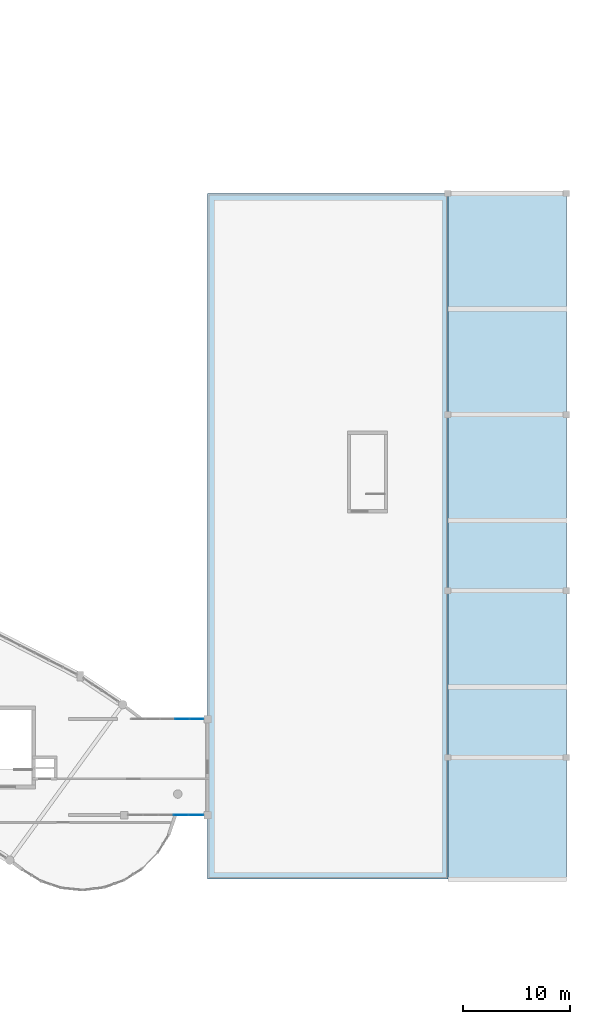
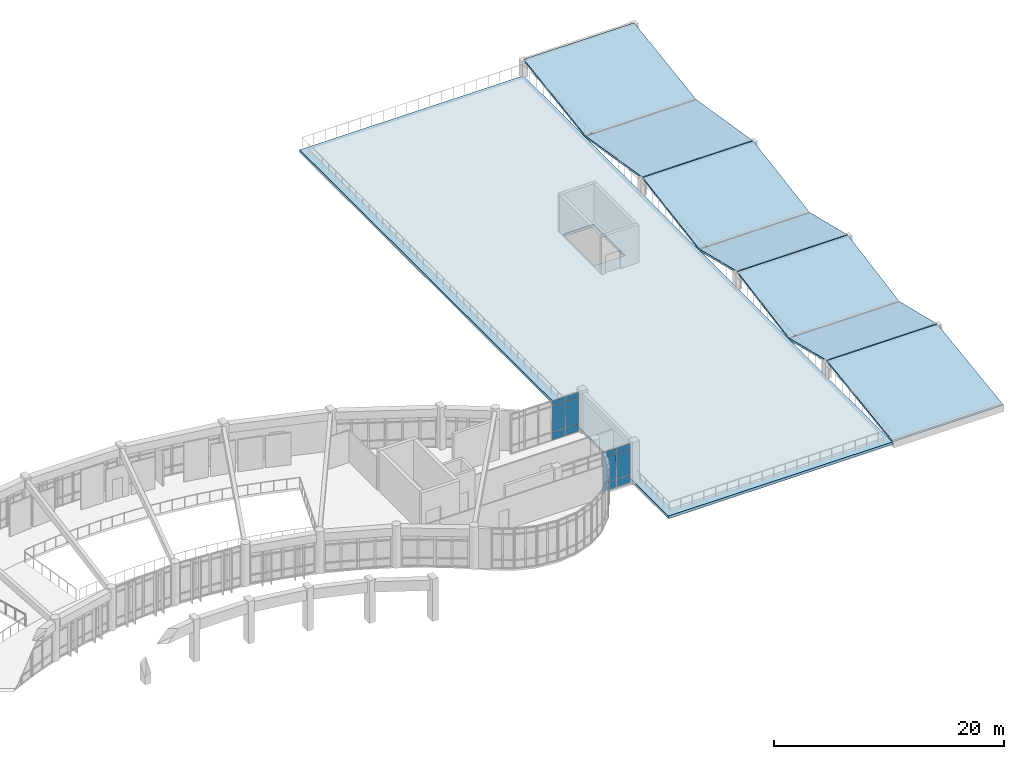
# One storey, part 40 of 54: 12 plates, 8 slabs, 3 elements without a shape of their own.
"""IFC4 building model written with IfcOpenShell, lengths in metres."""

import ifcopenshell
import ifcopenshell.guid

model = None  # the IFC model being written
_history = None  # IfcOwnerHistory: only IFC2X3 demands one
_inside = {}  # id of a spatial element -> (the spatial element, [elements in it])
_under = {}  # id of a project, library or spatial element -> (it, [spatial elements below it])
_declared = {}  # id of a project -> (the project, [libraries it declares])
_typed = {}  # id of a type object -> (the type object, [elements of that type])
_made_of = {}  # id of a material, layer set ... -> (it, [elements and type objects made of it])


def new_model(schema):
    """Start an empty IFC model of exactly this schema.

    Asked for "IFC4X3", IfcOpenShell would pick the latest addendum, in which some entities
    have other attributes; the version numbers below select the first issue.
    IFC2X3 requires an IfcOwnerHistory on every rooted entity: one is made here for all.
    """
    global model, _history
    if schema == "IFC4X3":
        model = ifcopenshell.file(schema_version=(4, 3, 0, 0))
    else:
        model = ifcopenshell.file(schema=schema)
    _inside.clear()
    _under.clear()
    _declared.clear()
    _typed.clear()
    _made_of.clear()
    _history = None
    if model.schema == "IFC2X3":
        org = make("IfcOrganization", Name="unknown")
        user = make(
            "IfcPersonAndOrganization",
            ThePerson=make("IfcPerson", FamilyName="unknown"),
            TheOrganization=org,
        )
        app = make(
            "IfcApplication",
            ApplicationDeveloper=org,
            Version="unknown",
            ApplicationFullName="unknown",
            ApplicationIdentifier="unknown",
        )
        _history = make(
            "IfcOwnerHistory",
            OwningUser=user,
            OwningApplication=app,
            ChangeAction="ADDED",
            CreationDate=0,
        )
    return model


def make(cls, **values):
    """One entity of the class cls with the attributes given. An attribute that is None is left unset."""
    return model.create_entity(
        cls, **{name: value for name, value in values.items() if value is not None}
    )


def rooted(cls, **values):
    """An entity with a GlobalId (a new one), such as an element, a storey or a relation."""
    return make(cls, GlobalId=ifcopenshell.guid.new(), OwnerHistory=_history, **values)


def si_unit(unit_type, name, prefix=None):
    """IfcSIUnit, for example si_unit("LENGTHUNIT", "METRE", prefix="MILLI")."""
    return make("IfcSIUnit", UnitType=unit_type, Prefix=prefix, Name=name)


def assignment(units):
    """IfcUnitAssignment: the units of a project."""
    return None if units is None else make("IfcUnitAssignment", Units=units)


def point(xyz):
    """IfcCartesianPoint."""
    return None if xyz is None else make("IfcCartesianPoint", Coordinates=xyz)


def direction(xyz):
    """IfcDirection."""
    return None if xyz is None else make("IfcDirection", DirectionRatios=xyz)


def frame(location, z_axis=None, x_axis=None):
    """IfcAxis2Placement3D, a coordinate frame: its origin and axes. An axis left out is left unset."""
    return make(
        "IfcAxis2Placement3D",
        Location=point(location),
        Axis=direction(z_axis),
        RefDirection=direction(x_axis),
    )


def frame_2d(location, x_axis=None):
    """IfcAxis2Placement2D, a coordinate frame in the plane: its origin and x axis."""
    return make(
        "IfcAxis2Placement2D", Location=point(location), RefDirection=direction(x_axis)
    )


def origin():
    """The frame at (0, 0, 0) with its axes left unset."""
    return frame((0.0, 0.0, 0.0))


def origin_2d():
    """The frame at (0, 0) in the plane with its x axis left unset."""
    return frame_2d((0.0, 0.0))


def place(relative_to, where):
    """IfcLocalPlacement: puts the frame where relative to a parent placement (None: the world)."""
    return make(
        "IfcLocalPlacement", PlacementRelTo=relative_to, RelativePlacement=where
    )


def context(
    kind, dimensions, precision=None, world=None, true_north=None, identifier=None
):
    """IfcGeometricRepresentationContext, for example the 3D "Model" context."""
    return make(
        "IfcGeometricRepresentationContext",
        ContextIdentifier=identifier,
        ContextType=kind,
        CoordinateSpaceDimension=dimensions,
        Precision=precision,
        WorldCoordinateSystem=world,
        TrueNorth=true_north,
    )


def subcontext(parent, identifier, kind, view, scale=None):
    """IfcGeometricRepresentationSubContext, for example "Body" below "Model"."""
    return make(
        "IfcGeometricRepresentationSubContext",
        ContextIdentifier=identifier,
        ContextType=kind,
        ParentContext=parent,
        TargetScale=scale,
        TargetView=view,
    )


def project(units=None, contexts=None):
    """IfcProject with its units and contexts."""
    return rooted(
        "IfcProject",
        Name="project",
        RepresentationContexts=contexts,
        UnitsInContext=assignment(units),
    )


def spatial(cls, under=None, at=None, **own):
    """A site, building, storey or space (cls), placed at a placement, below another one or the project."""
    s = rooted(cls, ObjectPlacement=at, **own)
    if under is not None:
        _under.setdefault(under.id(), (under, []))[1].append(s)
    return s


def polyline(points):
    """IfcPolyline through the points."""
    return make("IfcPolyline", Points=[point(p) for p in points])


def profile(cls, at=None, kind="AREA", **sizes):
    """A parametric profile (cls). Its sizes go by their IFC names, for example OverallWidth=200.0."""
    return make(cls, ProfileType=kind, Position=at, **sizes)


def rectangle(**sizes):
    """IfcRectangleProfileDef."""
    return profile("IfcRectangleProfileDef", **sizes)


def outline(outer, holes=None, kind="AREA"):
    """IfcArbitraryClosedProfileDef: a profile drawn as a closed curve; with holes, ...WithVoids."""
    if holes is None:
        return make("IfcArbitraryClosedProfileDef", ProfileType=kind, OuterCurve=outer)
    return make(
        "IfcArbitraryProfileDefWithVoids",
        ProfileType=kind,
        OuterCurve=outer,
        InnerCurves=holes,
    )


def extrude(swept, where, along, depth):
    """IfcExtrudedAreaSolid: the profile swept, set in the frame where, extruded along a direction by depth."""
    return make(
        "IfcExtrudedAreaSolid",
        SweptArea=swept,
        Position=where,
        ExtrudedDirection=direction(along),
        Depth=depth,
    )


def shape(context_of_items, identifier, shape_type, items):
    """IfcShapeRepresentation: the items that make up one representation, for example the "Body"."""
    return make(
        "IfcShapeRepresentation",
        ContextOfItems=context_of_items,
        RepresentationIdentifier=identifier,
        RepresentationType=shape_type,
        Items=items,
    )


def material(Name=None, Category=None):
    """IfcMaterial."""
    return make("IfcMaterial", Name=Name, Category=Category)


def layer(
    of_material, thickness, ventilated=None, Name=None, Category=None, Priority=None
):
    """IfcMaterialLayer: one layer of a wall or slab, of a material (None: an air gap)."""
    return make(
        "IfcMaterialLayer",
        Material=of_material,
        LayerThickness=thickness,
        IsVentilated=ventilated,
        Name=Name,
        Category=Category,
        Priority=Priority,
    )


def layer_set(layers, Name=None):
    """IfcMaterialLayerSet."""
    return make("IfcMaterialLayerSet", MaterialLayers=layers, LayerSetName=Name)


def made_of(thing, what):
    """Note that an element or type object is made of a material, layer set ...; save() writes the relation."""
    if what is not None:
        _made_of.setdefault(what.id(), (what, []))[1].append(thing)
    return thing


def type_object(cls, material=None, **own):
    """A type object (cls), such as IfcWallType, which elements share."""
    return made_of(rooted(cls, **own), material)


def element(
    cls,
    number,
    at=None,
    inside=None,
    cuts=None,
    type_object=None,
    material=None,
    context=None,
    identifier="Body",
    shape_type=None,
    held_by="IfcProductDefinitionShape",
    body=None,
    shapes=None,
    **own,
):
    """One element of the class cls, such as IfcWall. Its Tag is "e" and its number.

    at: its placement. inside: the storey or other place that contains it. cuts: it is an
    opening in that element (IfcRelVoidsElement). A single representation is given by context,
    identifier, shape_type and body (its items); several are given by shapes. held_by: the class
    of the entity that holds the representations. save() writes the other relations.
    """
    e = rooted(cls, Tag="e%d" % number, ObjectPlacement=at, **own)
    if body is not None:
        shapes = [shape(context, identifier, shape_type, body)]
    if shapes is not None:
        e.Representation = make(held_by, Representations=shapes)
    if inside is not None:
        _inside.setdefault(inside.id(), (inside, []))[1].append(e)
    if cuts is not None:
        rooted(
            "IfcRelVoidsElement", RelatingBuildingElement=cuts, RelatedOpeningElement=e
        )
    if type_object is not None:
        _typed.setdefault(type_object.id(), (type_object, []))[1].append(e)
    return made_of(e, material)


def aggregate(whole, parts):
    """IfcRelAggregates: a whole, such as a stair, and the parts it consists of."""
    return rooted("IfcRelAggregates", RelatingObject=whole, RelatedObjects=parts)


def save(model, path):
    """Write the relations noted so far, then the file.

    IfcRelAggregates (storeys below a building ...), IfcRelContainedInSpatialStructure (elements
    in a storey), IfcRelDefinesByType, IfcRelAssociatesMaterial and IfcRelDeclares: one each for
    every whole, place, type object, material and project.
    """
    for whole, parts in _under.values():
        aggregate(whole, parts)
    for where, things in _inside.values():
        rooted(
            "IfcRelContainedInSpatialStructure",
            RelatedElements=things,
            RelatingStructure=where,
        )
    for kind, things in _typed.values():
        rooted("IfcRelDefinesByType", RelatedObjects=things, RelatingType=kind)
    for what, things in _made_of.values():
        rooted("IfcRelAssociatesMaterial", RelatedObjects=things, RelatingMaterial=what)
    for by, libraries in _declared.values():
        rooted("IfcRelDeclares", RelatingContext=by, RelatedDefinitions=libraries)
    model.write(path)


model = new_model("IFC4")

# Units and contexts
model_context = context("Model", 3, precision=1e-05, world=origin(), true_north=direction((0.0, 1.0)))
body_context = subcontext(model_context, "Body", "Model", "MODEL_VIEW")
ifc_project = project(units=[si_unit("LENGTHUNIT", "METRE"), si_unit("AREAUNIT", "SQUARE_METRE"), si_unit("VOLUMEUNIT", "CUBIC_METRE"), si_unit("PLANEANGLEUNIT", "RADIAN"), si_unit("MASSUNIT", "GRAM", prefix="KILO")], contexts=[model_context])

# Site, building, storey
site_placement = place(None, origin())
site = spatial("IfcSite", under=ifc_project, at=site_placement, CompositionType="ELEMENT")
building_placement = place(site_placement, origin())
building = spatial("IfcBuilding", under=site, at=building_placement, Name="Miralva Faculty of Natural Sciences", CompositionType="ELEMENT")
storey_placement = place(building_placement, frame((0.0, 0.0, 19.5)))
storey = spatial("IfcBuildingStorey", under=building, at=storey_placement, Name="L04", CompositionType="ELEMENT", Elevation=19.5)

# Curtain wall, plates
ifc_material_1 = material(Name="Laminated solar-control glass", Category="glass")
ifc_layer_1 = layer(ifc_material_1, 0.179931640625, Name="CW-COM-L01")
ifc_layer_set_1 = layer_set([ifc_layer_1], Name="Laminated solar-control glass")
curtain_wall_type = type_object("IfcCurtainWallType", Name="CW-COM-L01", PredefinedType="USERDEFINED", material=ifc_layer_set_1)
curtain_wall_1_placement = place(storey_placement, origin())
curtain_wall_1 = element("IfcCurtainWall", 1, at=curtain_wall_1_placement, inside=storey, type_object=curtain_wall_type, Name="Curtain wall CW-10 L04-308", ObjectType="UNITISED CURTAIN WALL", PredefinedType="USERDEFINED")
ifc_layer_2 = layer(ifc_material_1, 0.028076171875, Name="PNL-P01")
ifc_layer_set_2 = layer_set([ifc_layer_2], Name="Laminated solar-control glass")
plate_type = type_object("IfcPlateType", Name="PNL-P01", PredefinedType="CURTAIN_PANEL", material=ifc_layer_set_2)
plate_1_placement = place(storey_placement, frame((131.325927734375, 18.0, 0.06005859375), z_axis=(0.0, 0.0, 1.0), x_axis=(1.0, 0.0, 0.0)))
plate_1 = element("IfcPlate", 2, at=plate_1_placement, type_object=plate_type, Name="CW-10 panel 4.1", PredefinedType="CURTAIN_PANEL", context=body_context, shape_type="SweptSolid", body=[
    extrude(rectangle(XDim=1.365966796875, YDim=0.028076171875, at=origin_2d()), origin(), (0.0, 0.0, 1.0), 0.81005859375),
])
plate_2_placement = place(storey_placement, frame((131.325927734375, 18.0, 0.929931640625), z_axis=(0.0, 0.0, 1.0), x_axis=(1.0, 0.0, 0.0)))
plate_2 = element("IfcPlate", 3, at=plate_2_placement, type_object=plate_type, Name="CW-10 panel 4.2", PredefinedType="CURTAIN_PANEL", context=body_context, shape_type="SweptSolid", body=[
    extrude(rectangle(XDim=1.365966796875, YDim=0.028076171875, at=origin_2d()), origin(), (0.0, 0.0, 1.0), 2.68994140625),
])
plate_3_placement = place(storey_placement, frame((131.325927734375, 18.0, 3.68017578125), z_axis=(0.0, 0.0, 1.0), x_axis=(1.0, 0.0, 0.0)))
plate_3 = element("IfcPlate", 4, at=plate_3_placement, type_object=plate_type, Name="CW-10 panel 4.3", PredefinedType="CURTAIN_PANEL", context=body_context, shape_type="SweptSolid", body=[
    extrude(rectangle(XDim=1.365966796875, YDim=0.028076171875, at=origin_2d()), origin(), (0.0, 0.0, 1.0), 0.510009765625),
])
plate_4_placement = place(storey_placement, frame((132.737060546875, 18.0, 0.06005859375), z_axis=(0.0, 0.0, 1.0), x_axis=(1.0, 0.0, 0.0)))
plate_4 = element("IfcPlate", 5, at=plate_4_placement, type_object=plate_type, Name="CW-10 panel 5.1", PredefinedType="CURTAIN_PANEL", context=body_context, shape_type="SweptSolid", body=[
    extrude(rectangle(XDim=1.3359375, YDim=0.028076171875, at=origin_2d()), origin(), (0.0, 0.0, 1.0), 0.81005859375),
])
plate_5_placement = place(storey_placement, frame((132.737060546875, 18.0, 0.929931640625), z_axis=(0.0, 0.0, 1.0), x_axis=(1.0, 0.0, 0.0)))
plate_5 = element("IfcPlate", 6, at=plate_5_placement, type_object=plate_type, Name="CW-10 panel 5.2", PredefinedType="CURTAIN_PANEL", context=body_context, shape_type="SweptSolid", body=[
    extrude(rectangle(XDim=1.3359375, YDim=0.028076171875, at=origin_2d()), origin(), (0.0, 0.0, 1.0), 2.68994140625),
])
plate_6_placement = place(storey_placement, frame((132.737060546875, 18.0, 3.68017578125), z_axis=(0.0, 0.0, 1.0), x_axis=(1.0, 0.0, 0.0)))
plate_6 = element("IfcPlate", 7, at=plate_6_placement, type_object=plate_type, Name="CW-10 panel 5.3", PredefinedType="CURTAIN_PANEL", context=body_context, shape_type="SweptSolid", body=[
    extrude(rectangle(XDim=1.3359375, YDim=0.028076171875, at=origin_2d()), origin(), (0.0, 0.0, 1.0), 0.510009765625),
])
aggregate(curtain_wall_1, [plate_1, plate_2, plate_3, plate_4, plate_5, plate_6])

curtain_wall_2_placement = place(storey_placement, origin())
curtain_wall_2 = element("IfcCurtainWall", 8, at=curtain_wall_2_placement, inside=storey, type_object=curtain_wall_type, Name="Curtain wall CW-10 L04-311", ObjectType="UNITISED CURTAIN WALL", PredefinedType="USERDEFINED")
plate_7_placement = place(storey_placement, frame((131.41162109375, 27.0, 0.06005859375), z_axis=(0.0, 0.0, 1.0), x_axis=(1.0, 0.0, 0.0)))
plate_7 = element("IfcPlate", 9, at=plate_7_placement, type_object=plate_type, Name="CW-10 panel 4.1", PredefinedType="CURTAIN_PANEL", context=body_context, shape_type="SweptSolid", body=[
    extrude(rectangle(XDim=1.30908203125, YDim=0.028076171875, at=origin_2d()), origin(), (0.0, 0.0, 1.0), 0.81005859375),
])
plate_8_placement = place(storey_placement, frame((131.41162109375, 27.0, 0.929931640625), z_axis=(0.0, 0.0, 1.0), x_axis=(1.0, 0.0, 0.0)))
plate_8 = element("IfcPlate", 10, at=plate_8_placement, type_object=plate_type, Name="CW-10 panel 4.2", PredefinedType="CURTAIN_PANEL", context=body_context, shape_type="SweptSolid", body=[
    extrude(rectangle(XDim=1.30908203125, YDim=0.028076171875, at=origin_2d()), origin(), (0.0, 0.0, 1.0), 2.68994140625),
])
plate_9_placement = place(storey_placement, frame((131.41162109375, 27.0, 3.68017578125), z_axis=(0.0, 0.0, 1.0), x_axis=(1.0, 0.0, 0.0)))
plate_9 = element("IfcPlate", 11, at=plate_9_placement, type_object=plate_type, Name="CW-10 panel 4.3", PredefinedType="CURTAIN_PANEL", context=body_context, shape_type="SweptSolid", body=[
    extrude(rectangle(XDim=1.30908203125, YDim=0.028076171875, at=origin_2d()), origin(), (0.0, 0.0, 1.0), 0.510009765625),
])
plate_10_placement = place(storey_placement, frame((132.765380859375, 27.0, 0.06005859375), z_axis=(0.0, 0.0, 1.0), x_axis=(1.0, 0.0, 0.0)))
plate_10 = element("IfcPlate", 12, at=plate_10_placement, type_object=plate_type, Name="CW-10 panel 5.1", PredefinedType="CURTAIN_PANEL", context=body_context, shape_type="SweptSolid", body=[
    extrude(rectangle(XDim=1.279052734375, YDim=0.028076171875, at=origin_2d()), origin(), (0.0, 0.0, 1.0), 0.81005859375),
])
plate_11_placement = place(storey_placement, frame((132.765380859375, 27.0, 0.929931640625), z_axis=(0.0, 0.0, 1.0), x_axis=(1.0, 0.0, 0.0)))
plate_11 = element("IfcPlate", 13, at=plate_11_placement, type_object=plate_type, Name="CW-10 panel 5.2", PredefinedType="CURTAIN_PANEL", context=body_context, shape_type="SweptSolid", body=[
    extrude(rectangle(XDim=1.279052734375, YDim=0.028076171875, at=origin_2d()), origin(), (0.0, 0.0, 1.0), 2.68994140625),
])
plate_12_placement = place(storey_placement, frame((132.765380859375, 27.0, 3.68017578125), z_axis=(0.0, 0.0, 1.0), x_axis=(1.0, 0.0, 0.0)))
plate_12 = element("IfcPlate", 14, at=plate_12_placement, type_object=plate_type, Name="CW-10 panel 5.3", PredefinedType="CURTAIN_PANEL", context=body_context, shape_type="SweptSolid", body=[
    extrude(rectangle(XDim=1.279052734375, YDim=0.028076171875, at=origin_2d()), origin(), (0.0, 0.0, 1.0), 0.510009765625),
])
aggregate(curtain_wall_2, [plate_7, plate_8, plate_9, plate_10, plate_11, plate_12])

# Roof, slabs
ifc_material_2 = material(Name="Concrete C40/50", Category="concrete")
roof_type = type_object("IfcRoofType", Name="RF-SHED-01", PredefinedType="SHED_ROOF", material=ifc_material_2)
roof_placement = place(storey_placement, origin())
roof = element("IfcRoof", 15, at=roof_placement, inside=storey, type_object=roof_type, Name="Learning Commons Folded Concrete Roof", PredefinedType="SHED_ROOF")
ifc_layer_3 = layer(ifc_material_2, 0.2099609375, Name="SL-RF02")
ifc_layer_set_3 = layer_set([ifc_layer_3], Name="Concrete C40/50")
slab_type_1 = type_object("IfcSlabType", Name="SL-RF02", PredefinedType="ROOF", material=ifc_layer_set_3)
slab_1_placement = place(storey_placement, frame((156.300048828125, 12.030029296875, 0.14990234375), z_axis=(0.0, -0.139717000069, 0.990191476378), x_axis=(1.0, 0.0, 0.0)))
slab_1 = element("IfcSlab", 16, at=slab_1_placement, type_object=slab_type_1, Name="Commons Folded Concrete Roof Panel 1", PredefinedType="ROOF", context=body_context, shape_type="SweptSolid", body=[
    extrude(outline(polyline([(0.0, 0.0), (11.099853515625, 0.0), (11.099853515625, 11.45241921502337), (0.0, 11.45241921502337), (0.0, 0.0)])), origin(), (0.0, 0.0, -1.0), 0.2099609375),
])
slab_2_placement = place(storey_placement, frame((156.300048828125, 23.429931640625, 1.75), z_axis=(0.0, 0.237652299399, 0.971350289335), x_axis=(1.0, 0.0, 0.0)))
slab_2 = element("IfcSlab", 17, at=slab_2_placement, type_object=slab_type_1, Name="Commons Folded Concrete Roof Panel 2", PredefinedType="ROOF", context=body_context, shape_type="SweptSolid", body=[
    extrude(outline(polyline([(0.0, 0.0), (11.099853515625, 0.0), (11.099853515625, 6.7329357228895805), (0.0, 6.7329357228895805), (0.0, 0.0)])), origin(), (0.0, 0.0, -1.0), 0.2099609375),
])
slab_3_placement = place(storey_placement, frame((156.300048828125, 30.030029296875, 0.14990234375), z_axis=(0.0, -0.176183251486, 0.98435738525), x_axis=(1.0, 0.0, 0.0)))
slab_3 = element("IfcSlab", 18, at=slab_3_placement, type_object=slab_type_1, Name="Commons Folded Concrete Roof Panel 3", PredefinedType="ROOF", context=body_context, shape_type="SweptSolid", body=[
    extrude(outline(polyline([(0.0, 0.0), (11.099853515625, 0.0), (11.099853515625, 9.082007754715914), (0.0, 9.082007754715914), (0.0, 0.0)])), origin(), (0.0, 0.0, -1.0), 0.2099609375),
])
slab_4_placement = place(storey_placement, frame((156.300048828125, 39.030029296875, 1.75), z_axis=(0.0, 0.237652299399, 0.971350289335), x_axis=(1.0, 0.0, 0.0)))
slab_4 = element("IfcSlab", 19, at=slab_4_placement, type_object=slab_type_1, Name="Commons Folded Concrete Roof Panel 4", PredefinedType="ROOF", context=body_context, shape_type="SweptSolid", body=[
    extrude(outline(polyline([(0.0, 0.0), (11.099853515625, 0.0), (11.099853515625, 6.7329357228895805), (0.0, 6.7329357228895805), (0.0, 0.0)])), origin(), (0.0, 0.0, -1.0), 0.2099609375),
])
slab_5_placement = place(storey_placement, frame((156.300048828125, 45.6298828125, 0.14990234375), z_axis=(0.0, -0.160501943335, 0.987035524277), x_axis=(1.0, 0.0, 0.0)))
slab_5 = element("IfcSlab", 20, at=slab_5_placement, type_object=slab_type_1, Name="Commons Folded Concrete Roof Panel 5", PredefinedType="ROOF", context=body_context, shape_type="SweptSolid", body=[
    extrude(outline(polyline([(0.0, 0.0), (11.099853515625, 0.0), (11.099853515625, 9.969335093413276), (0.0, 9.969335093413276), (0.0, 0.0)])), origin(), (0.0, 0.0, -1.0), 0.2099609375),
])
slab_6_placement = place(storey_placement, frame((156.300048828125, 55.530029296875, 1.75), z_axis=(0.0, 0.160501943335, 0.987035524277), x_axis=(1.0, 0.0, 0.0)))
slab_6 = element("IfcSlab", 21, at=slab_6_placement, type_object=slab_type_1, Name="Commons Folded Concrete Roof Panel 6", PredefinedType="ROOF", context=body_context, shape_type="SweptSolid", body=[
    extrude(outline(polyline([(0.0, 0.0), (11.099853515625, 0.0), (11.099853515625, 9.969335093413276), (0.0, 9.969335093413276), (0.0, 0.0)])), origin(), (0.0, 0.0, -1.0), 0.2099609375),
])
slab_7_placement = place(storey_placement, frame((156.300048828125, 65.429931640625, 0.14990234375), z_axis=(0.0, -0.147358570597, 0.989083136886), x_axis=(1.0, 0.0, 0.0)))
slab_7 = element("IfcSlab", 22, at=slab_7_placement, type_object=slab_type_1, Name="Commons Folded Concrete Roof Panel 7", PredefinedType="ROOF", context=body_context, shape_type="SweptSolid", body=[
    extrude(outline(polyline([(0.0, 0.0), (11.099853515625, 0.0), (11.099853515625, 10.85853133457776), (0.0, 10.85853133457776), (0.0, 0.0)])), origin(), (0.0, 0.0, -1.0), 0.2099609375),
])
aggregate(roof, [slab_1, slab_2, slab_3, slab_4, slab_5, slab_6, slab_7])

# Slab
ifc_layer_4 = layer(ifc_material_2, 0.2900390625, Name="SL-TR01")
ifc_layer_set_4 = layer_set([ifc_layer_4], Name="Concrete C40/50")
slab_type_2 = type_object("IfcSlabType", Name="SL-TR01", PredefinedType="ROOF", material=ifc_layer_set_4)
slab_8_placement = place(storey_placement, frame((0.0, 0.0, -0.2900390625)))
element("IfcSlab", 23, at=slab_8_placement, inside=storey, type_object=slab_type_2, Name="Commons Roof Garden Terrace Slab", PredefinedType="ROOF", context=body_context, shape_type="SweptSolid", body=[
    extrude(outline(polyline([(156.300048828125, 12.0), (133.800048828125, 12.0), (133.800048828125, 76.199951171875), (156.300048828125, 76.199951171875), (156.300048828125, 12.0)]), holes=[polyline([(150.324951171875, 48.125), (147.22509765625, 48.125), (147.22509765625, 53.625), (150.324951171875, 53.625), (150.324951171875, 48.125)])]), origin(), (0.0, 0.0, 1.0), 0.2900390625),
])

save(model, "model.ifc")
